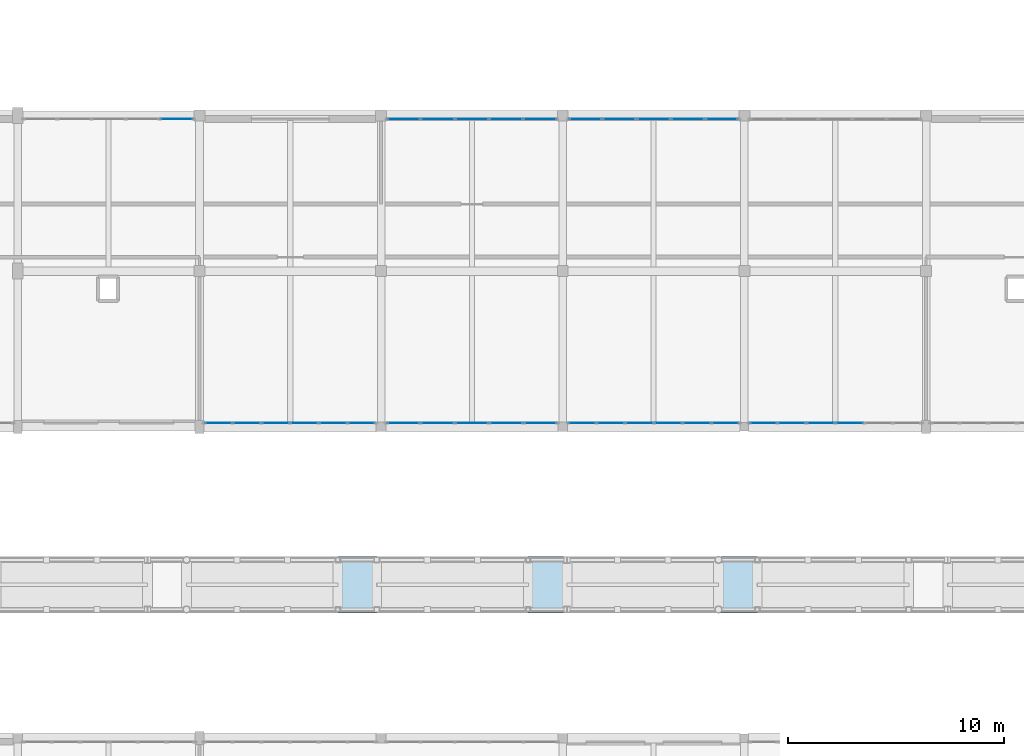
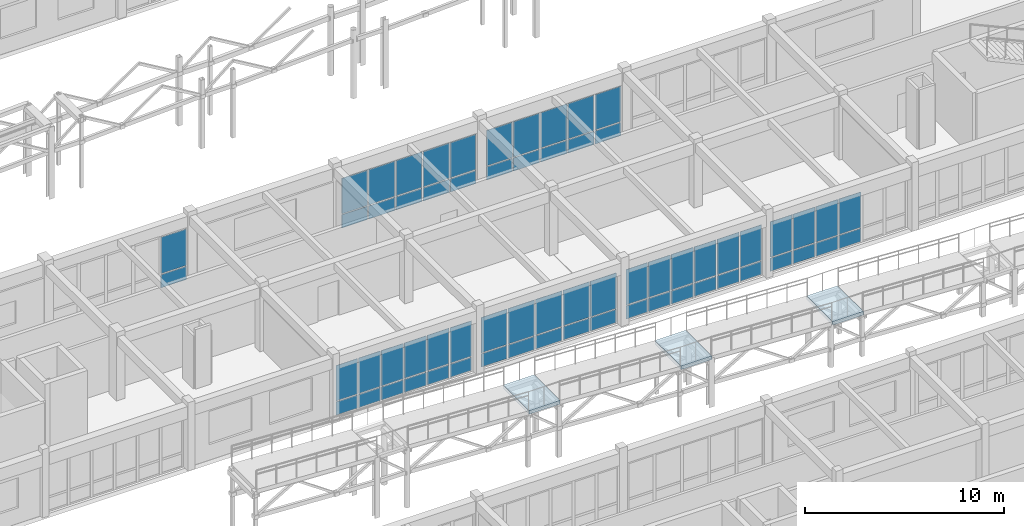
# One storey, part 62 of 89: 64 plates, 3 slabs, 8 elements without a shape of their own.
"""IFC4 building model written with IfcOpenShell, lengths in metres."""

from ifc_helpers import new_model, si_unit, direction, frame, origin, origin_2d, place, context, subcontext, project, spatial, polyline, rectangle, outline, extrude, material, layer, layer_set, type_object, element, aggregate, save


model = new_model("IFC4")

# Units and contexts
model_context = context("Model", 3, precision=1e-05, world=origin(), true_north=direction((0.0, 1.0)))
body_context = subcontext(model_context, "Body", "Model", "MODEL_VIEW")
ifc_project = project(units=[si_unit("LENGTHUNIT", "METRE"), si_unit("AREAUNIT", "SQUARE_METRE"), si_unit("VOLUMEUNIT", "CUBIC_METRE"), si_unit("PLANEANGLEUNIT", "RADIAN"), si_unit("MASSUNIT", "GRAM", prefix="KILO")], contexts=[model_context])

# Site, building, storey
site_placement = place(None, origin())
site = spatial("IfcSite", under=ifc_project, at=site_placement, CompositionType="ELEMENT")
building_placement = place(site_placement, origin())
building = spatial("IfcBuilding", under=site, at=building_placement, Name="Malvenik Polytechnic", CompositionType="ELEMENT")
storey_placement = place(building_placement, frame((0.0, 0.0, 13.5)))
storey = spatial("IfcBuildingStorey", under=building, at=storey_placement, Name="L03", CompositionType="ELEMENT", Elevation=13.5)

# Curtain wall, plate
ifc_material_1 = material(Name="Anodised aluminium 6060-T6", Category="aluminium")
curtain_wall_type = type_object("IfcCurtainWallType", Name="ARC-CW-CW-02", PredefinedType="NOTDEFINED", material=ifc_material_1)
curtain_wall_1_placement = place(storey_placement, origin())
curtain_wall_1 = element("IfcCurtainWall", 1, at=curtain_wall_1_placement, inside=storey, type_object=curtain_wall_type, Name="Unitised Curtain Wall CW-02 L03 #163", PredefinedType="NOTDEFINED")
ifc_material_2 = material(Name="Insulated low-E double glazing 8-16-8", Category="glass")
ifc_layer_1 = layer(ifc_material_2, 0.028076171875)
ifc_layer_set_1 = layer_set([ifc_layer_1], Name="Insulated low-E double glazing 8-16-8")
plate_type_1 = type_object("IfcPlateType", Name="ARC-CWP-CP-GLZ28", PredefinedType="CURTAIN_PANEL", material=ifc_layer_set_1)
plate_1_placement = place(storey_placement, frame((32.546630859375, 93.429931640625, 0.93017578125), z_axis=(0.0, 0.0, 1.0), x_axis=(1.0, 0.0, 0.0)))
plate_1 = element("IfcPlate", 2, at=plate_1_placement, type_object=plate_type_1, Name="CW-02 panel 5.2", PredefinedType="CURTAIN_PANEL", context=body_context, shape_type="SweptSolid", body=[
    extrude(rectangle(XDim=1.49072265625, YDim=0.028076171875, at=origin_2d()), origin(), (0.0, 0.0, 1.0), 2.239990234375),
])

# Curtain wall, plates
curtain_wall_2_placement = place(storey_placement, origin())
curtain_wall_2 = element("IfcCurtainWall", 3, at=curtain_wall_2_placement, inside=storey, type_object=curtain_wall_type, Name="Unitised Curtain Wall CW-02 L03 #164", PredefinedType="NOTDEFINED")
plate_2_placement = place(storey_placement, frame((43.053466796875, 93.429931640625, 0.929931640625), z_axis=(0.0, 0.0, 1.0), x_axis=(1.0, 0.0, 0.0)))
plate_2 = element("IfcPlate", 4, at=plate_2_placement, type_object=plate_type_1, Name="CW-02 panel 1.2", PredefinedType="CURTAIN_PANEL", context=body_context, shape_type="SweptSolid", body=[
    extrude(rectangle(XDim=1.49072265625, YDim=0.028076171875, at=origin_2d()), origin(), (0.0, 0.0, 1.0), 2.169921875),
])
plate_3_placement = place(storey_placement, frame((44.619140625, 93.429931640625, 0.929931640625), z_axis=(0.0, 0.0, 1.0), x_axis=(1.0, 0.0, 0.0)))
plate_3 = element("IfcPlate", 5, at=plate_3_placement, type_object=plate_type_1, Name="CW-02 panel 2.2", PredefinedType="CURTAIN_PANEL", context=body_context, shape_type="SweptSolid", body=[
    extrude(rectangle(XDim=1.520751953125, YDim=0.028076171875, at=origin_2d()), origin(), (0.0, 0.0, 1.0), 2.169921875),
])
plate_4_placement = place(storey_placement, frame((46.199951171875, 93.429931640625, 0.929931640625), z_axis=(0.0, 0.0, 1.0), x_axis=(1.0, 0.0, 0.0)))
plate_4 = element("IfcPlate", 6, at=plate_4_placement, type_object=plate_type_1, Name="CW-02 panel 3.2", PredefinedType="CURTAIN_PANEL", context=body_context, shape_type="SweptSolid", body=[
    extrude(rectangle(XDim=1.520751953125, YDim=0.028076171875, at=origin_2d()), origin(), (0.0, 0.0, 1.0), 2.169921875),
])
plate_5_placement = place(storey_placement, frame((47.78076171875, 93.429931640625, 0.929931640625), z_axis=(0.0, 0.0, 1.0), x_axis=(1.0, 0.0, 0.0)))
plate_5 = element("IfcPlate", 7, at=plate_5_placement, type_object=plate_type_1, Name="CW-02 panel 4.2", PredefinedType="CURTAIN_PANEL", context=body_context, shape_type="SweptSolid", body=[
    extrude(rectangle(XDim=1.520751953125, YDim=0.028076171875, at=origin_2d()), origin(), (0.0, 0.0, 1.0), 2.169921875),
])
plate_6_placement = place(storey_placement, frame((49.3466796875, 93.429931640625, 0.929931640625), z_axis=(0.0, 0.0, 1.0), x_axis=(1.0, 0.0, 0.0)))
plate_6 = element("IfcPlate", 8, at=plate_6_placement, type_object=plate_type_1, Name="CW-02 panel 5.2", PredefinedType="CURTAIN_PANEL", context=body_context, shape_type="SweptSolid", body=[
    extrude(rectangle(XDim=1.49072265625, YDim=0.028076171875, at=origin_2d()), origin(), (0.0, 0.0, 1.0), 2.169921875),
])

curtain_wall_3_placement = place(storey_placement, origin())
curtain_wall_3 = element("IfcCurtainWall", 9, at=curtain_wall_3_placement, inside=storey, type_object=curtain_wall_type, Name="Unitised Curtain Wall CW-02 L03 #165", PredefinedType="NOTDEFINED")
plate_7_placement = place(storey_placement, frame((51.453369140625, 93.429931640625, 0.929931640625), z_axis=(0.0, 0.0, 1.0), x_axis=(1.0, 0.0, 0.0)))
plate_7 = element("IfcPlate", 10, at=plate_7_placement, type_object=plate_type_1, Name="CW-02 panel 1.2", PredefinedType="CURTAIN_PANEL", context=body_context, shape_type="SweptSolid", body=[
    extrude(rectangle(XDim=1.49072265625, YDim=0.028076171875, at=origin_2d()), origin(), (0.0, 0.0, 1.0), 2.169921875),
])
plate_8_placement = place(storey_placement, frame((53.019287109375, 93.429931640625, 0.929931640625), z_axis=(0.0, 0.0, 1.0), x_axis=(1.0, 0.0, 0.0)))
plate_8 = element("IfcPlate", 11, at=plate_8_placement, type_object=plate_type_1, Name="CW-02 panel 2.2", PredefinedType="CURTAIN_PANEL", context=body_context, shape_type="SweptSolid", body=[
    extrude(rectangle(XDim=1.520751953125, YDim=0.028076171875, at=origin_2d()), origin(), (0.0, 0.0, 1.0), 2.169921875),
])
plate_9_placement = place(storey_placement, frame((54.60009765625, 93.429931640625, 0.929931640625), z_axis=(0.0, 0.0, 1.0), x_axis=(1.0, 0.0, 0.0)))
plate_9 = element("IfcPlate", 12, at=plate_9_placement, type_object=plate_type_1, Name="CW-02 panel 3.2", PredefinedType="CURTAIN_PANEL", context=body_context, shape_type="SweptSolid", body=[
    extrude(rectangle(XDim=1.520751953125, YDim=0.028076171875, at=origin_2d()), origin(), (0.0, 0.0, 1.0), 2.169921875),
])
plate_10_placement = place(storey_placement, frame((56.180908203125, 93.429931640625, 0.929931640625), z_axis=(0.0, 0.0, 1.0), x_axis=(1.0, 0.0, 0.0)))
plate_10 = element("IfcPlate", 13, at=plate_10_placement, type_object=plate_type_1, Name="CW-02 panel 4.2", PredefinedType="CURTAIN_PANEL", context=body_context, shape_type="SweptSolid", body=[
    extrude(rectangle(XDim=1.520751953125, YDim=0.028076171875, at=origin_2d()), origin(), (0.0, 0.0, 1.0), 2.169921875),
])
plate_11_placement = place(storey_placement, frame((57.74658203125, 93.429931640625, 0.929931640625), z_axis=(0.0, 0.0, 1.0), x_axis=(1.0, 0.0, 0.0)))
plate_11 = element("IfcPlate", 14, at=plate_11_placement, type_object=plate_type_1, Name="CW-02 panel 5.2", PredefinedType="CURTAIN_PANEL", context=body_context, shape_type="SweptSolid", body=[
    extrude(rectangle(XDim=1.49072265625, YDim=0.028076171875, at=origin_2d()), origin(), (0.0, 0.0, 1.0), 2.169921875),
])

curtain_wall_4_placement = place(storey_placement, origin())
curtain_wall_4 = element("IfcCurtainWall", 15, at=curtain_wall_4_placement, inside=storey, type_object=curtain_wall_type, Name="Unitised Curtain Wall CW-02 L03 #199", PredefinedType="NOTDEFINED")
plate_12_placement = place(storey_placement, frame((63.6669921875, 79.3701171875, 0.929931640625), z_axis=(0.0, 0.0, 1.0), x_axis=(-1.0, 0.0, 0.0)))
plate_12 = element("IfcPlate", 16, at=plate_12_placement, type_object=plate_type_1, Name="CW-02 panel 3.2", PredefinedType="CURTAIN_PANEL", context=body_context, shape_type="SweptSolid", body=[
    extrude(rectangle(XDim=1.27392578125, YDim=0.028076171875, at=origin_2d()), origin(), (0.0, 0.0, 1.0), 2.169921875),
])
plate_13_placement = place(storey_placement, frame((62.3330078125, 79.3701171875, 0.929931640625), z_axis=(0.0, 0.0, 1.0), x_axis=(-1.0, 0.0, 0.0)))
plate_13 = element("IfcPlate", 17, at=plate_13_placement, type_object=plate_type_1, Name="CW-02 panel 4.2", PredefinedType="CURTAIN_PANEL", context=body_context, shape_type="SweptSolid", body=[
    extrude(rectangle(XDim=1.27392578125, YDim=0.028076171875, at=origin_2d()), origin(), (0.0, 0.0, 1.0), 2.169921875),
])
plate_14_placement = place(storey_placement, frame((60.9990234375, 79.3701171875, 0.929931640625), z_axis=(0.0, 0.0, 1.0), x_axis=(-1.0, 0.0, 0.0)))
plate_14 = element("IfcPlate", 18, at=plate_14_placement, type_object=plate_type_1, Name="CW-02 panel 5.2", PredefinedType="CURTAIN_PANEL", context=body_context, shape_type="SweptSolid", body=[
    extrude(rectangle(XDim=1.27392578125, YDim=0.028076171875, at=origin_2d()), origin(), (0.0, 0.0, 1.0), 2.169921875),
])
plate_15_placement = place(storey_placement, frame((59.679931640625, 79.3701171875, 0.929931640625), z_axis=(0.0, 0.0, 1.0), x_axis=(-1.0, 0.0, 0.0)))
plate_15 = element("IfcPlate", 19, at=plate_15_placement, type_object=plate_type_1, Name="CW-02 panel 6.2", PredefinedType="CURTAIN_PANEL", context=body_context, shape_type="SweptSolid", body=[
    extrude(rectangle(XDim=1.243896484375, YDim=0.028076171875, at=origin_2d()), origin(), (0.0, 0.0, 1.0), 2.169921875),
])

curtain_wall_5_placement = place(storey_placement, origin())
curtain_wall_5 = element("IfcCurtainWall", 20, at=curtain_wall_5_placement, inside=storey, type_object=curtain_wall_type, Name="Unitised Curtain Wall CW-02 L03 #200", PredefinedType="NOTDEFINED")
plate_16_placement = place(storey_placement, frame((57.922119140625, 79.3701171875, 0.929931640625), z_axis=(0.0, 0.0, 1.0), x_axis=(-1.0, 0.0, 0.0)))
plate_16 = element("IfcPlate", 21, at=plate_16_placement, type_object=plate_type_1, Name="CW-02 panel 1.2", PredefinedType="CURTAIN_PANEL", context=body_context, shape_type="SweptSolid", body=[
    extrude(rectangle(XDim=1.23974609375, YDim=0.028076171875, at=origin_2d()), origin(), (0.0, 0.0, 1.0), 2.169921875),
])
plate_17_placement = place(storey_placement, frame((56.607177734375, 79.3701171875, 0.929931640625), z_axis=(0.0, 0.0, 1.0), x_axis=(-1.0, 0.0, 0.0)))
plate_17 = element("IfcPlate", 22, at=plate_17_placement, type_object=plate_type_1, Name="CW-02 panel 2.2", PredefinedType="CURTAIN_PANEL", context=body_context, shape_type="SweptSolid", body=[
    extrude(rectangle(XDim=1.269775390625, YDim=0.028076171875, at=origin_2d()), origin(), (0.0, 0.0, 1.0), 2.169921875),
])
plate_18_placement = place(storey_placement, frame((55.27734375, 79.3701171875, 0.929931640625), z_axis=(0.0, 0.0, 1.0), x_axis=(-1.0, 0.0, 0.0)))
plate_18 = element("IfcPlate", 23, at=plate_18_placement, type_object=plate_type_1, Name="CW-02 panel 3.2", PredefinedType="CURTAIN_PANEL", context=body_context, shape_type="SweptSolid", body=[
    extrude(rectangle(XDim=1.269775390625, YDim=0.028076171875, at=origin_2d()), origin(), (0.0, 0.0, 1.0), 2.169921875),
])
plate_19_placement = place(storey_placement, frame((53.947509765625, 79.3701171875, 0.929931640625), z_axis=(0.0, 0.0, 1.0), x_axis=(-1.0, 0.0, 0.0)))
plate_19 = element("IfcPlate", 24, at=plate_19_placement, type_object=plate_type_1, Name="CW-02 panel 4.2", PredefinedType="CURTAIN_PANEL", context=body_context, shape_type="SweptSolid", body=[
    extrude(rectangle(XDim=1.269775390625, YDim=0.028076171875, at=origin_2d()), origin(), (0.0, 0.0, 1.0), 2.169921875),
])
plate_20_placement = place(storey_placement, frame((52.61767578125, 79.3701171875, 0.929931640625), z_axis=(0.0, 0.0, 1.0), x_axis=(-1.0, 0.0, 0.0)))
plate_20 = element("IfcPlate", 25, at=plate_20_placement, type_object=plate_type_1, Name="CW-02 panel 5.2", PredefinedType="CURTAIN_PANEL", context=body_context, shape_type="SweptSolid", body=[
    extrude(rectangle(XDim=1.269775390625, YDim=0.028076171875, at=origin_2d()), origin(), (0.0, 0.0, 1.0), 2.169921875),
])
plate_21_placement = place(storey_placement, frame((51.302978515625, 79.3701171875, 0.929931640625), z_axis=(0.0, 0.0, 1.0), x_axis=(-1.0, 0.0, 0.0)))
plate_21 = element("IfcPlate", 26, at=plate_21_placement, type_object=plate_type_1, Name="CW-02 panel 6.2", PredefinedType="CURTAIN_PANEL", context=body_context, shape_type="SweptSolid", body=[
    extrude(rectangle(XDim=1.23974609375, YDim=0.028076171875, at=origin_2d()), origin(), (0.0, 0.0, 1.0), 2.169921875),
])

curtain_wall_6_placement = place(storey_placement, origin())
curtain_wall_6 = element("IfcCurtainWall", 27, at=curtain_wall_6_placement, inside=storey, type_object=curtain_wall_type, Name="Unitised Curtain Wall CW-02 L03 #201", PredefinedType="NOTDEFINED")
plate_22_placement = place(storey_placement, frame((49.36669921875, 79.3701171875, 0.929931640625), z_axis=(0.0, 0.0, 1.0), x_axis=(-1.0, 0.0, 0.0)))
plate_22 = element("IfcPlate", 28, at=plate_22_placement, type_object=plate_type_1, Name="CW-02 panel 1.2", PredefinedType="CURTAIN_PANEL", context=body_context, shape_type="SweptSolid", body=[
    extrude(rectangle(XDim=1.500732421875, YDim=0.028076171875, at=origin_2d()), origin(), (0.0, 0.0, 1.0), 2.169921875),
])
plate_23_placement = place(storey_placement, frame((47.790771484375, 79.3701171875, 0.929931640625), z_axis=(0.0, 0.0, 1.0), x_axis=(-1.0, 0.0, 0.0)))
plate_23 = element("IfcPlate", 29, at=plate_23_placement, type_object=plate_type_1, Name="CW-02 panel 2.2", PredefinedType="CURTAIN_PANEL", context=body_context, shape_type="SweptSolid", body=[
    extrude(rectangle(XDim=1.53076171875, YDim=0.028076171875, at=origin_2d()), origin(), (0.0, 0.0, 1.0), 2.169921875),
])
plate_24_placement = place(storey_placement, frame((46.199951171875, 79.3701171875, 0.929931640625), z_axis=(0.0, 0.0, 1.0), x_axis=(-1.0, 0.0, 0.0)))
plate_24 = element("IfcPlate", 30, at=plate_24_placement, type_object=plate_type_1, Name="CW-02 panel 3.2", PredefinedType="CURTAIN_PANEL", context=body_context, shape_type="SweptSolid", body=[
    extrude(rectangle(XDim=1.53076171875, YDim=0.028076171875, at=origin_2d()), origin(), (0.0, 0.0, 1.0), 2.169921875),
])
plate_25_placement = place(storey_placement, frame((44.609130859375, 79.3701171875, 0.929931640625), z_axis=(0.0, 0.0, 1.0), x_axis=(-1.0, 0.0, 0.0)))
plate_25 = element("IfcPlate", 31, at=plate_25_placement, type_object=plate_type_1, Name="CW-02 panel 4.2", PredefinedType="CURTAIN_PANEL", context=body_context, shape_type="SweptSolid", body=[
    extrude(rectangle(XDim=1.53076171875, YDim=0.028076171875, at=origin_2d()), origin(), (0.0, 0.0, 1.0), 2.169921875),
])
plate_26_placement = place(storey_placement, frame((43.033447265625, 79.3701171875, 0.929931640625), z_axis=(0.0, 0.0, 1.0), x_axis=(-1.0, 0.0, 0.0)))
plate_26 = element("IfcPlate", 32, at=plate_26_placement, type_object=plate_type_1, Name="CW-02 panel 5.2", PredefinedType="CURTAIN_PANEL", context=body_context, shape_type="SweptSolid", body=[
    extrude(rectangle(XDim=1.500732421875, YDim=0.028076171875, at=origin_2d()), origin(), (0.0, 0.0, 1.0), 2.169921875),
])

curtain_wall_7_placement = place(storey_placement, origin())
curtain_wall_7 = element("IfcCurtainWall", 33, at=curtain_wall_7_placement, inside=storey, type_object=curtain_wall_type, Name="Unitised Curtain Wall CW-02 L03 #202", PredefinedType="NOTDEFINED")
plate_27_placement = place(storey_placement, frame((41.09716796875, 79.3701171875, 0.929931640625), z_axis=(0.0, 0.0, 1.0), x_axis=(-1.0, 0.0, 0.0)))
plate_27 = element("IfcPlate", 34, at=plate_27_placement, type_object=plate_type_1, Name="CW-02 panel 1.2", PredefinedType="CURTAIN_PANEL", context=body_context, shape_type="SweptSolid", body=[
    extrude(rectangle(XDim=1.23974609375, YDim=0.028076171875, at=origin_2d()), origin(), (0.0, 0.0, 1.0), 2.169921875),
])
plate_28_placement = place(storey_placement, frame((39.7822265625, 79.3701171875, 0.929931640625), z_axis=(0.0, 0.0, 1.0), x_axis=(-1.0, 0.0, 0.0)))
plate_28 = element("IfcPlate", 35, at=plate_28_placement, type_object=plate_type_1, Name="CW-02 panel 2.2", PredefinedType="CURTAIN_PANEL", context=body_context, shape_type="SweptSolid", body=[
    extrude(rectangle(XDim=1.269775390625, YDim=0.028076171875, at=origin_2d()), origin(), (0.0, 0.0, 1.0), 2.169921875),
])
plate_29_placement = place(storey_placement, frame((38.452392578125, 79.3701171875, 0.929931640625), z_axis=(0.0, 0.0, 1.0), x_axis=(-1.0, 0.0, 0.0)))
plate_29 = element("IfcPlate", 36, at=plate_29_placement, type_object=plate_type_1, Name="CW-02 panel 3.2", PredefinedType="CURTAIN_PANEL", context=body_context, shape_type="SweptSolid", body=[
    extrude(rectangle(XDim=1.269775390625, YDim=0.028076171875, at=origin_2d()), origin(), (0.0, 0.0, 1.0), 2.169921875),
])
plate_30_placement = place(storey_placement, frame((37.12255859375, 79.3701171875, 0.929931640625), z_axis=(0.0, 0.0, 1.0), x_axis=(-1.0, 0.0, 0.0)))
plate_30 = element("IfcPlate", 37, at=plate_30_placement, type_object=plate_type_1, Name="CW-02 panel 4.2", PredefinedType="CURTAIN_PANEL", context=body_context, shape_type="SweptSolid", body=[
    extrude(rectangle(XDim=1.269775390625, YDim=0.028076171875, at=origin_2d()), origin(), (0.0, 0.0, 1.0), 2.169921875),
])
plate_31_placement = place(storey_placement, frame((35.792724609375, 79.3701171875, 0.929931640625), z_axis=(0.0, 0.0, 1.0), x_axis=(-1.0, 0.0, 0.0)))
plate_31 = element("IfcPlate", 38, at=plate_31_placement, type_object=plate_type_1, Name="CW-02 panel 5.2", PredefinedType="CURTAIN_PANEL", context=body_context, shape_type="SweptSolid", body=[
    extrude(rectangle(XDim=1.269775390625, YDim=0.028076171875, at=origin_2d()), origin(), (0.0, 0.0, 1.0), 2.169921875),
])
plate_32_placement = place(storey_placement, frame((34.47802734375, 79.3701171875, 0.929931640625), z_axis=(0.0, 0.0, 1.0), x_axis=(-1.0, 0.0, 0.0)))
plate_32 = element("IfcPlate", 39, at=plate_32_placement, type_object=plate_type_1, Name="CW-02 panel 6.2", PredefinedType="CURTAIN_PANEL", context=body_context, shape_type="SweptSolid", body=[
    extrude(rectangle(XDim=1.23974609375, YDim=0.028076171875, at=origin_2d()), origin(), (0.0, 0.0, 1.0), 2.169921875),
])

# Plate
ifc_material_3 = material(Name="Insulated aluminium spandrel cassette 42mm", Category="aluminium")
ifc_layer_2 = layer(ifc_material_3, 0.0419921875)
ifc_layer_set_2 = layer_set([ifc_layer_2], Name="Insulated aluminium spandrel cassette 42mm")
plate_type_2 = type_object("IfcPlateType", Name="ARC-CWP-CP-SPN42", PredefinedType="CURTAIN_PANEL", material=ifc_layer_set_2)
plate_33_placement = place(storey_placement, frame((32.546630859375, 93.429931640625, 0.06005859375), z_axis=(0.0, 0.0, 1.0), x_axis=(1.0, 0.0, 0.0)))
plate_33 = element("IfcPlate", 40, at=plate_33_placement, type_object=plate_type_2, Name="CW-02 panel 5.1", PredefinedType="CURTAIN_PANEL", context=body_context, shape_type="SweptSolid", body=[
    extrude(rectangle(XDim=1.49072265625, YDim=0.028076171875, at=origin_2d()), origin(), (0.0, 0.0, 1.0), 0.81005859375),
])

aggregate(curtain_wall_1, [plate_33, plate_1])

plate_34_placement = place(storey_placement, frame((43.053466796875, 93.429931640625, 0.06005859375), z_axis=(0.0, 0.0, 1.0), x_axis=(1.0, 0.0, 0.0)))
plate_34 = element("IfcPlate", 41, at=plate_34_placement, type_object=plate_type_2, Name="CW-02 panel 1.1", PredefinedType="CURTAIN_PANEL", context=body_context, shape_type="SweptSolid", body=[
    extrude(rectangle(XDim=1.49072265625, YDim=0.028076171875, at=origin_2d()), origin(), (0.0, 0.0, 1.0), 0.81005859375),
])

plate_35_placement = place(storey_placement, frame((44.619140625, 93.429931640625, 0.06005859375), z_axis=(0.0, 0.0, 1.0), x_axis=(1.0, 0.0, 0.0)))
plate_35 = element("IfcPlate", 42, at=plate_35_placement, type_object=plate_type_2, Name="CW-02 panel 2.1", PredefinedType="CURTAIN_PANEL", context=body_context, shape_type="SweptSolid", body=[
    extrude(rectangle(XDim=1.520751953125, YDim=0.028076171875, at=origin_2d()), origin(), (0.0, 0.0, 1.0), 0.81005859375),
])

plate_36_placement = place(storey_placement, frame((46.199951171875, 93.429931640625, 0.06005859375), z_axis=(0.0, 0.0, 1.0), x_axis=(1.0, 0.0, 0.0)))
plate_36 = element("IfcPlate", 43, at=plate_36_placement, type_object=plate_type_2, Name="CW-02 panel 3.1", PredefinedType="CURTAIN_PANEL", context=body_context, shape_type="SweptSolid", body=[
    extrude(rectangle(XDim=1.520751953125, YDim=0.028076171875, at=origin_2d()), origin(), (0.0, 0.0, 1.0), 0.81005859375),
])

plate_37_placement = place(storey_placement, frame((47.78076171875, 93.429931640625, 0.06005859375), z_axis=(0.0, 0.0, 1.0), x_axis=(1.0, 0.0, 0.0)))
plate_37 = element("IfcPlate", 44, at=plate_37_placement, type_object=plate_type_2, Name="CW-02 panel 4.1", PredefinedType="CURTAIN_PANEL", context=body_context, shape_type="SweptSolid", body=[
    extrude(rectangle(XDim=1.520751953125, YDim=0.028076171875, at=origin_2d()), origin(), (0.0, 0.0, 1.0), 0.81005859375),
])

plate_38_placement = place(storey_placement, frame((49.3466796875, 93.429931640625, 0.06005859375), z_axis=(0.0, 0.0, 1.0), x_axis=(1.0, 0.0, 0.0)))
plate_38 = element("IfcPlate", 45, at=plate_38_placement, type_object=plate_type_2, Name="CW-02 panel 5.1", PredefinedType="CURTAIN_PANEL", context=body_context, shape_type="SweptSolid", body=[
    extrude(rectangle(XDim=1.49072265625, YDim=0.028076171875, at=origin_2d()), origin(), (0.0, 0.0, 1.0), 0.81005859375),
])

aggregate(curtain_wall_2, [plate_34, plate_2, plate_35, plate_3, plate_36, plate_4, plate_37, plate_5, plate_38, plate_6])

plate_39_placement = place(storey_placement, frame((51.453369140625, 93.429931640625, 0.06005859375), z_axis=(0.0, 0.0, 1.0), x_axis=(1.0, 0.0, 0.0)))
plate_39 = element("IfcPlate", 46, at=plate_39_placement, type_object=plate_type_2, Name="CW-02 panel 1.1", PredefinedType="CURTAIN_PANEL", context=body_context, shape_type="SweptSolid", body=[
    extrude(rectangle(XDim=1.49072265625, YDim=0.028076171875, at=origin_2d()), origin(), (0.0, 0.0, 1.0), 0.81005859375),
])

plate_40_placement = place(storey_placement, frame((53.019287109375, 93.429931640625, 0.06005859375), z_axis=(0.0, 0.0, 1.0), x_axis=(1.0, 0.0, 0.0)))
plate_40 = element("IfcPlate", 47, at=plate_40_placement, type_object=plate_type_2, Name="CW-02 panel 2.1", PredefinedType="CURTAIN_PANEL", context=body_context, shape_type="SweptSolid", body=[
    extrude(rectangle(XDim=1.520751953125, YDim=0.028076171875, at=origin_2d()), origin(), (0.0, 0.0, 1.0), 0.81005859375),
])

plate_41_placement = place(storey_placement, frame((54.60009765625, 93.429931640625, 0.06005859375), z_axis=(0.0, 0.0, 1.0), x_axis=(1.0, 0.0, 0.0)))
plate_41 = element("IfcPlate", 48, at=plate_41_placement, type_object=plate_type_2, Name="CW-02 panel 3.1", PredefinedType="CURTAIN_PANEL", context=body_context, shape_type="SweptSolid", body=[
    extrude(rectangle(XDim=1.520751953125, YDim=0.028076171875, at=origin_2d()), origin(), (0.0, 0.0, 1.0), 0.81005859375),
])

plate_42_placement = place(storey_placement, frame((56.180908203125, 93.429931640625, 0.06005859375), z_axis=(0.0, 0.0, 1.0), x_axis=(1.0, 0.0, 0.0)))
plate_42 = element("IfcPlate", 49, at=plate_42_placement, type_object=plate_type_2, Name="CW-02 panel 4.1", PredefinedType="CURTAIN_PANEL", context=body_context, shape_type="SweptSolid", body=[
    extrude(rectangle(XDim=1.520751953125, YDim=0.028076171875, at=origin_2d()), origin(), (0.0, 0.0, 1.0), 0.81005859375),
])

plate_43_placement = place(storey_placement, frame((57.74658203125, 93.429931640625, 0.06005859375), z_axis=(0.0, 0.0, 1.0), x_axis=(1.0, 0.0, 0.0)))
plate_43 = element("IfcPlate", 50, at=plate_43_placement, type_object=plate_type_2, Name="CW-02 panel 5.1", PredefinedType="CURTAIN_PANEL", context=body_context, shape_type="SweptSolid", body=[
    extrude(rectangle(XDim=1.49072265625, YDim=0.028076171875, at=origin_2d()), origin(), (0.0, 0.0, 1.0), 0.81005859375),
])

aggregate(curtain_wall_3, [plate_39, plate_7, plate_40, plate_8, plate_41, plate_9, plate_42, plate_10, plate_43, plate_11])

plate_44_placement = place(storey_placement, frame((63.6669921875, 79.3701171875, 0.06005859375), z_axis=(0.0, 0.0, 1.0), x_axis=(-1.0, 0.0, 0.0)))
plate_44 = element("IfcPlate", 51, at=plate_44_placement, type_object=plate_type_2, Name="CW-02 panel 3.1", PredefinedType="CURTAIN_PANEL", context=body_context, shape_type="SweptSolid", body=[
    extrude(rectangle(XDim=1.27392578125, YDim=0.028076171875, at=origin_2d()), origin(), (0.0, 0.0, 1.0), 0.81005859375),
])

plate_45_placement = place(storey_placement, frame((62.3330078125, 79.3701171875, 0.06005859375), z_axis=(0.0, 0.0, 1.0), x_axis=(-1.0, 0.0, 0.0)))
plate_45 = element("IfcPlate", 52, at=plate_45_placement, type_object=plate_type_2, Name="CW-02 panel 4.1", PredefinedType="CURTAIN_PANEL", context=body_context, shape_type="SweptSolid", body=[
    extrude(rectangle(XDim=1.27392578125, YDim=0.028076171875, at=origin_2d()), origin(), (0.0, 0.0, 1.0), 0.81005859375),
])

plate_46_placement = place(storey_placement, frame((60.9990234375, 79.3701171875, 0.06005859375), z_axis=(0.0, 0.0, 1.0), x_axis=(-1.0, 0.0, 0.0)))
plate_46 = element("IfcPlate", 53, at=plate_46_placement, type_object=plate_type_2, Name="CW-02 panel 5.1", PredefinedType="CURTAIN_PANEL", context=body_context, shape_type="SweptSolid", body=[
    extrude(rectangle(XDim=1.27392578125, YDim=0.028076171875, at=origin_2d()), origin(), (0.0, 0.0, 1.0), 0.81005859375),
])

plate_47_placement = place(storey_placement, frame((59.679931640625, 79.3701171875, 0.06005859375), z_axis=(0.0, 0.0, 1.0), x_axis=(-1.0, 0.0, 0.0)))
plate_47 = element("IfcPlate", 54, at=plate_47_placement, type_object=plate_type_2, Name="CW-02 panel 6.1", PredefinedType="CURTAIN_PANEL", context=body_context, shape_type="SweptSolid", body=[
    extrude(rectangle(XDim=1.243896484375, YDim=0.028076171875, at=origin_2d()), origin(), (0.0, 0.0, 1.0), 0.81005859375),
])

aggregate(curtain_wall_4, [plate_44, plate_12, plate_45, plate_13, plate_46, plate_14, plate_47, plate_15])

plate_48_placement = place(storey_placement, frame((57.922119140625, 79.3701171875, 0.06005859375), z_axis=(0.0, 0.0, 1.0), x_axis=(-1.0, 0.0, 0.0)))
plate_48 = element("IfcPlate", 55, at=plate_48_placement, type_object=plate_type_2, Name="CW-02 panel 1.1", PredefinedType="CURTAIN_PANEL", context=body_context, shape_type="SweptSolid", body=[
    extrude(rectangle(XDim=1.23974609375, YDim=0.028076171875, at=origin_2d()), origin(), (0.0, 0.0, 1.0), 0.81005859375),
])

plate_49_placement = place(storey_placement, frame((56.607177734375, 79.3701171875, 0.06005859375), z_axis=(0.0, 0.0, 1.0), x_axis=(-1.0, 0.0, 0.0)))
plate_49 = element("IfcPlate", 56, at=plate_49_placement, type_object=plate_type_2, Name="CW-02 panel 2.1", PredefinedType="CURTAIN_PANEL", context=body_context, shape_type="SweptSolid", body=[
    extrude(rectangle(XDim=1.269775390625, YDim=0.028076171875, at=origin_2d()), origin(), (0.0, 0.0, 1.0), 0.81005859375),
])

plate_50_placement = place(storey_placement, frame((55.27734375, 79.3701171875, 0.06005859375), z_axis=(0.0, 0.0, 1.0), x_axis=(-1.0, 0.0, 0.0)))
plate_50 = element("IfcPlate", 57, at=plate_50_placement, type_object=plate_type_2, Name="CW-02 panel 3.1", PredefinedType="CURTAIN_PANEL", context=body_context, shape_type="SweptSolid", body=[
    extrude(rectangle(XDim=1.269775390625, YDim=0.028076171875, at=origin_2d()), origin(), (0.0, 0.0, 1.0), 0.81005859375),
])

plate_51_placement = place(storey_placement, frame((53.947509765625, 79.3701171875, 0.06005859375), z_axis=(0.0, 0.0, 1.0), x_axis=(-1.0, 0.0, 0.0)))
plate_51 = element("IfcPlate", 58, at=plate_51_placement, type_object=plate_type_2, Name="CW-02 panel 4.1", PredefinedType="CURTAIN_PANEL", context=body_context, shape_type="SweptSolid", body=[
    extrude(rectangle(XDim=1.269775390625, YDim=0.028076171875, at=origin_2d()), origin(), (0.0, 0.0, 1.0), 0.81005859375),
])

plate_52_placement = place(storey_placement, frame((52.61767578125, 79.3701171875, 0.06005859375), z_axis=(0.0, 0.0, 1.0), x_axis=(-1.0, 0.0, 0.0)))
plate_52 = element("IfcPlate", 59, at=plate_52_placement, type_object=plate_type_2, Name="CW-02 panel 5.1", PredefinedType="CURTAIN_PANEL", context=body_context, shape_type="SweptSolid", body=[
    extrude(rectangle(XDim=1.269775390625, YDim=0.028076171875, at=origin_2d()), origin(), (0.0, 0.0, 1.0), 0.81005859375),
])

plate_53_placement = place(storey_placement, frame((51.302978515625, 79.3701171875, 0.06005859375), z_axis=(0.0, 0.0, 1.0), x_axis=(-1.0, 0.0, 0.0)))
plate_53 = element("IfcPlate", 60, at=plate_53_placement, type_object=plate_type_2, Name="CW-02 panel 6.1", PredefinedType="CURTAIN_PANEL", context=body_context, shape_type="SweptSolid", body=[
    extrude(rectangle(XDim=1.23974609375, YDim=0.028076171875, at=origin_2d()), origin(), (0.0, 0.0, 1.0), 0.81005859375),
])

aggregate(curtain_wall_5, [plate_48, plate_16, plate_49, plate_17, plate_50, plate_18, plate_51, plate_19, plate_52, plate_20, plate_53, plate_21])

plate_54_placement = place(storey_placement, frame((49.36669921875, 79.3701171875, 0.06005859375), z_axis=(0.0, 0.0, 1.0), x_axis=(-1.0, 0.0, 0.0)))
plate_54 = element("IfcPlate", 61, at=plate_54_placement, type_object=plate_type_2, Name="CW-02 panel 1.1", PredefinedType="CURTAIN_PANEL", context=body_context, shape_type="SweptSolid", body=[
    extrude(rectangle(XDim=1.500732421875, YDim=0.028076171875, at=origin_2d()), origin(), (0.0, 0.0, 1.0), 0.81005859375),
])

plate_55_placement = place(storey_placement, frame((47.790771484375, 79.3701171875, 0.06005859375), z_axis=(0.0, 0.0, 1.0), x_axis=(-1.0, 0.0, 0.0)))
plate_55 = element("IfcPlate", 62, at=plate_55_placement, type_object=plate_type_2, Name="CW-02 panel 2.1", PredefinedType="CURTAIN_PANEL", context=body_context, shape_type="SweptSolid", body=[
    extrude(rectangle(XDim=1.53076171875, YDim=0.028076171875, at=origin_2d()), origin(), (0.0, 0.0, 1.0), 0.81005859375),
])

plate_56_placement = place(storey_placement, frame((46.199951171875, 79.3701171875, 0.06005859375), z_axis=(0.0, 0.0, 1.0), x_axis=(-1.0, 0.0, 0.0)))
plate_56 = element("IfcPlate", 63, at=plate_56_placement, type_object=plate_type_2, Name="CW-02 panel 3.1", PredefinedType="CURTAIN_PANEL", context=body_context, shape_type="SweptSolid", body=[
    extrude(rectangle(XDim=1.53076171875, YDim=0.028076171875, at=origin_2d()), origin(), (0.0, 0.0, 1.0), 0.81005859375),
])

plate_57_placement = place(storey_placement, frame((44.609130859375, 79.3701171875, 0.06005859375), z_axis=(0.0, 0.0, 1.0), x_axis=(-1.0, 0.0, 0.0)))
plate_57 = element("IfcPlate", 64, at=plate_57_placement, type_object=plate_type_2, Name="CW-02 panel 4.1", PredefinedType="CURTAIN_PANEL", context=body_context, shape_type="SweptSolid", body=[
    extrude(rectangle(XDim=1.53076171875, YDim=0.028076171875, at=origin_2d()), origin(), (0.0, 0.0, 1.0), 0.81005859375),
])

plate_58_placement = place(storey_placement, frame((43.033447265625, 79.3701171875, 0.06005859375), z_axis=(0.0, 0.0, 1.0), x_axis=(-1.0, 0.0, 0.0)))
plate_58 = element("IfcPlate", 65, at=plate_58_placement, type_object=plate_type_2, Name="CW-02 panel 5.1", PredefinedType="CURTAIN_PANEL", context=body_context, shape_type="SweptSolid", body=[
    extrude(rectangle(XDim=1.500732421875, YDim=0.028076171875, at=origin_2d()), origin(), (0.0, 0.0, 1.0), 0.81005859375),
])

aggregate(curtain_wall_6, [plate_54, plate_22, plate_55, plate_23, plate_56, plate_24, plate_57, plate_25, plate_58, plate_26])

plate_59_placement = place(storey_placement, frame((41.09716796875, 79.3701171875, 0.06005859375), z_axis=(0.0, 0.0, 1.0), x_axis=(-1.0, 0.0, 0.0)))
plate_59 = element("IfcPlate", 66, at=plate_59_placement, type_object=plate_type_2, Name="CW-02 panel 1.1", PredefinedType="CURTAIN_PANEL", context=body_context, shape_type="SweptSolid", body=[
    extrude(rectangle(XDim=1.23974609375, YDim=0.028076171875, at=origin_2d()), origin(), (0.0, 0.0, 1.0), 0.81005859375),
])

plate_60_placement = place(storey_placement, frame((39.7822265625, 79.3701171875, 0.06005859375), z_axis=(0.0, 0.0, 1.0), x_axis=(-1.0, 0.0, 0.0)))
plate_60 = element("IfcPlate", 67, at=plate_60_placement, type_object=plate_type_2, Name="CW-02 panel 2.1", PredefinedType="CURTAIN_PANEL", context=body_context, shape_type="SweptSolid", body=[
    extrude(rectangle(XDim=1.269775390625, YDim=0.028076171875, at=origin_2d()), origin(), (0.0, 0.0, 1.0), 0.81005859375),
])

plate_61_placement = place(storey_placement, frame((38.452392578125, 79.3701171875, 0.06005859375), z_axis=(0.0, 0.0, 1.0), x_axis=(-1.0, 0.0, 0.0)))
plate_61 = element("IfcPlate", 68, at=plate_61_placement, type_object=plate_type_2, Name="CW-02 panel 3.1", PredefinedType="CURTAIN_PANEL", context=body_context, shape_type="SweptSolid", body=[
    extrude(rectangle(XDim=1.269775390625, YDim=0.028076171875, at=origin_2d()), origin(), (0.0, 0.0, 1.0), 0.81005859375),
])

plate_62_placement = place(storey_placement, frame((37.12255859375, 79.3701171875, 0.06005859375), z_axis=(0.0, 0.0, 1.0), x_axis=(-1.0, 0.0, 0.0)))
plate_62 = element("IfcPlate", 69, at=plate_62_placement, type_object=plate_type_2, Name="CW-02 panel 4.1", PredefinedType="CURTAIN_PANEL", context=body_context, shape_type="SweptSolid", body=[
    extrude(rectangle(XDim=1.269775390625, YDim=0.028076171875, at=origin_2d()), origin(), (0.0, 0.0, 1.0), 0.81005859375),
])

plate_63_placement = place(storey_placement, frame((35.792724609375, 79.3701171875, 0.06005859375), z_axis=(0.0, 0.0, 1.0), x_axis=(-1.0, 0.0, 0.0)))
plate_63 = element("IfcPlate", 70, at=plate_63_placement, type_object=plate_type_2, Name="CW-02 panel 5.1", PredefinedType="CURTAIN_PANEL", context=body_context, shape_type="SweptSolid", body=[
    extrude(rectangle(XDim=1.269775390625, YDim=0.028076171875, at=origin_2d()), origin(), (0.0, 0.0, 1.0), 0.81005859375),
])

plate_64_placement = place(storey_placement, frame((34.47802734375, 79.3701171875, 0.06005859375), z_axis=(0.0, 0.0, 1.0), x_axis=(-1.0, 0.0, 0.0)))
plate_64 = element("IfcPlate", 71, at=plate_64_placement, type_object=plate_type_2, Name="CW-02 panel 6.1", PredefinedType="CURTAIN_PANEL", context=body_context, shape_type="SweptSolid", body=[
    extrude(rectangle(XDim=1.23974609375, YDim=0.028076171875, at=origin_2d()), origin(), (0.0, 0.0, 1.0), 0.81005859375),
])

aggregate(curtain_wall_7, [plate_59, plate_27, plate_60, plate_28, plate_61, plate_29, plate_62, plate_30, plate_63, plate_31, plate_64, plate_32])

# Ramp, slabs
ifc_material_4 = material(Name="Concrete C35/45", Category="concrete")
ramp_type = type_object("IfcRampType", Name="ARC-RMP-PED", PredefinedType="STRAIGHT_RUN_RAMP", material=ifc_material_4)
ramp_placement = place(storey_placement, origin())
ramp = element("IfcRamp", 72, at=ramp_placement, inside=storey, type_object=ramp_type, Name="Accessible Pedestrian Ramp RB-02", PredefinedType="STRAIGHT_RUN_RAMP")
ifc_layer_3 = layer(ifc_material_4, 0.219970703125)
ifc_layer_set_3 = layer_set([ifc_layer_3], Name="Concrete C35/45")
slab_type = type_object("IfcSlabType", Name="ARC-SLB-RLND", PredefinedType="LANDING", material=ifc_layer_set_3)
slab_1_placement = place(storey_placement, frame((0.0, 0.0, 2.580078125)))
slab_1 = element("IfcSlab", 73, at=slab_1_placement, type_object=slab_type, Name="Ramp Intermediate Landing RB-02 #8", PredefinedType="LANDING", context=body_context, shape_type="SweptSolid", body=[
    extrude(outline(polyline([(57.60009765625, 70.60009765625), (59.39990234375, 70.60009765625), (59.39990234375, 73.199951171875), (57.60009765625, 73.199951171875), (57.60009765625, 70.60009765625)])), origin(), (0.0, 0.0, 1.0), 0.219970703125),
])
slab_2_placement = place(storey_placement, frame((0.0, 0.0, 2.929931640625)))
slab_2 = element("IfcSlab", 74, at=slab_2_placement, type_object=slab_type, Name="Ramp Intermediate Landing RB-02 #9", PredefinedType="LANDING", context=body_context, shape_type="SweptSolid", body=[
    extrude(outline(polyline([(48.800048828125, 70.60009765625), (50.60009765625, 70.60009765625), (50.60009765625, 73.199951171875), (48.800048828125, 73.199951171875), (48.800048828125, 70.60009765625)])), origin(), (0.0, 0.0, 1.0), 0.219970703125),
])
slab_3_placement = place(storey_placement, frame((0.0, 0.0, 3.280029296875)))
slab_3 = element("IfcSlab", 75, at=slab_3_placement, type_object=slab_type, Name="Ramp Intermediate Landing RB-02 #10", PredefinedType="LANDING", context=body_context, shape_type="SweptSolid", body=[
    extrude(outline(polyline([(40.0, 70.60009765625), (41.800048828125, 70.60009765625), (41.800048828125, 73.199951171875), (40.0, 73.199951171875), (40.0, 70.60009765625)])), origin(), (0.0, 0.0, 1.0), 0.219970703125),
])
aggregate(ramp, [slab_1, slab_2, slab_3])

save(model, "model.ifc")
